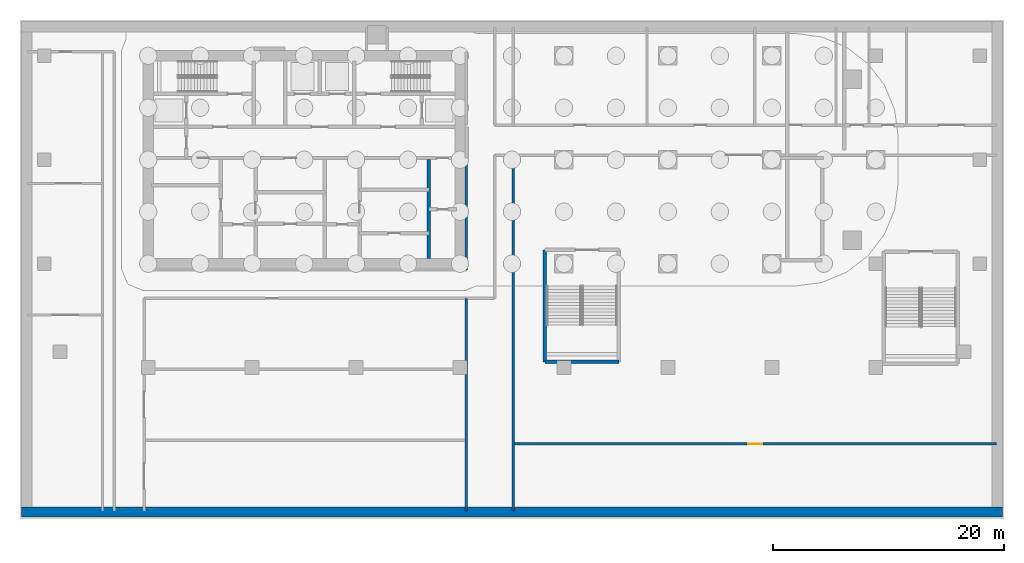
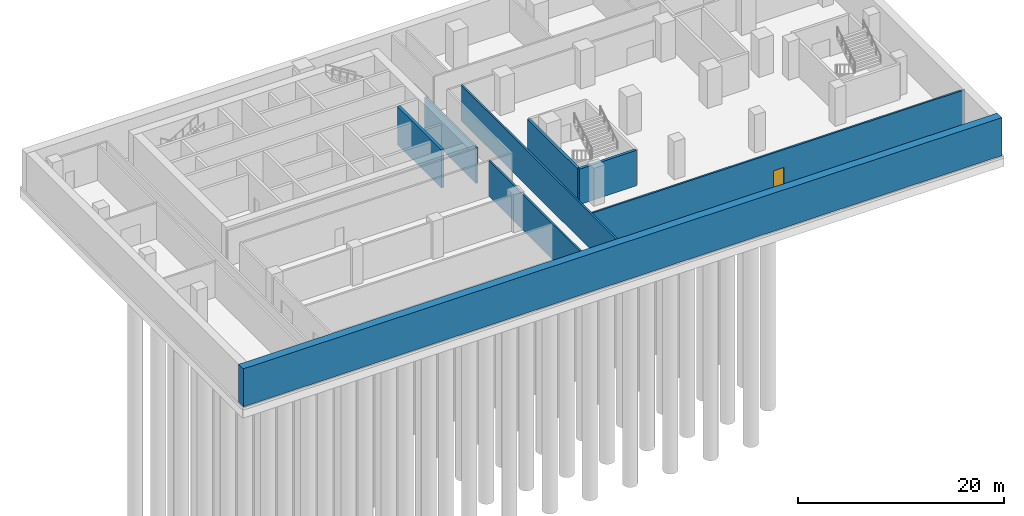
# One storey, part 3 of 13: 8 walls, 1 door, 1 opening.
"""IFC4 building model written with IfcOpenShell, lengths in metres."""

from ifc_helpers import new_model, si_unit, direction, frame, frame_2d, origin, place, context, subcontext, project, spatial, rectangle, extrude, material, layer, layer_set, type_object, element, fill, save


model = new_model("IFC4")

# Units and contexts
model_context = context("Model", 3, precision=1e-05, world=origin(), true_north=direction((0.0, 1.0)))
body_context = subcontext(model_context, "Body", "Model", "MODEL_VIEW")
ifc_project = project(units=[si_unit("LENGTHUNIT", "METRE"), si_unit("AREAUNIT", "SQUARE_METRE"), si_unit("VOLUMEUNIT", "CUBIC_METRE"), si_unit("PLANEANGLEUNIT", "RADIAN"), si_unit("MASSUNIT", "GRAM", prefix="KILO")], contexts=[model_context])

# Site, building, storey
site_placement = place(None, origin())
site = spatial("IfcSite", under=ifc_project, at=site_placement, CompositionType="ELEMENT")
building_placement = place(site_placement, origin())
building = spatial("IfcBuilding", under=site, at=building_placement, Name="Ogive Portal Towers", CompositionType="ELEMENT")
storey_placement = place(building_placement, frame((0.0, 0.0, -9.0)))
storey = spatial("IfcBuildingStorey", under=building, at=storey_placement, Name="B2", CompositionType="ELEMENT", Elevation=-9.0)

# Walls
ifc_material_1 = material(Name="Concrete C60/75", Category="concrete")
ifc_layer_1 = layer(ifc_material_1, 0.300048828125)
ifc_layer_set_1 = layer_set([ifc_layer_1], Name="CORE WALL 300 C60")
wall_type_1 = type_object("IfcWallType", Name="CORE WALL 300 C60", PredefinedType="SHEAR", material=ifc_layer_set_1)
wall_1_placement = place(storey_placement, frame((55.800048828125, 21.949951171875, 0.0), z_axis=(0.0, 0.0, 1.0), x_axis=(0.0, 1.0, 0.0)))
element("IfcWall", 1, at=wall_1_placement, inside=storey, type_object=wall_type_1, Name="Core wall X5 B2", PredefinedType="SHEAR", context=body_context, shape_type="SweptSolid", body=[
    extrude(rectangle(XDim=8.550048828125, YDim=0.300048828125, at=frame_2d((4.27490234375, 0.0))), origin(), (0.0, 0.0, 1.0), 4.5),
])
ifc_material_2 = material(Name="Concrete C50/60", Category="concrete")
ifc_layer_2 = layer(ifc_material_2, 0.300048828125)
ifc_layer_set_2 = layer_set([ifc_layer_2], Name="STAIR WALL 300 C50")
wall_type_2 = type_object("IfcWallType", Name="STAIR WALL 300 C50", PredefinedType="SHEAR", material=ifc_layer_set_2)
wall_2_placement = place(storey_placement, frame((65.85009765625, 13.0, 0.0), z_axis=(0.0, 0.0, 1.0), x_axis=(1.0, 0.0, 0.0)))
element("IfcWall", 2, at=wall_2_placement, inside=storey, type_object=wall_type_2, Name="Stair wall ST-S1 B2", PredefinedType="SHEAR", context=body_context, shape_type="SweptSolid", body=[
    extrude(rectangle(XDim=6.39990234375, YDim=0.300048828125, at=frame_2d((3.199951171875, 0.0))), origin(), (0.0, 0.0, 1.0), 4.199951171875),
])
wall_3_placement = place(storey_placement, frame((65.85009765625, 13.0, 0.0), z_axis=(0.0, 0.0, 1.0), x_axis=(0.0, 1.0, 0.0)))
element("IfcWall", 3, at=wall_3_placement, inside=storey, type_object=wall_type_2, Name="Stair wall ST-S1 B2", PredefinedType="SHEAR", context=body_context, shape_type="SweptSolid", body=[
    extrude(rectangle(XDim=9.699951171875, YDim=0.300048828125, at=frame_2d((4.85009765625, 0.0))), origin(), (0.0, 0.0, 1.0), 4.199951171875),
])
ifc_material_3 = material(Name="Concrete C40/50", Category="concrete")
ifc_layer_3 = layer(ifc_material_3, 0.89990234375)
ifc_layer_set_3 = layer_set([ifc_layer_3], Name="STATION WALL 900 C40")
wall_type_3 = type_object("IfcWallType", Name="STATION WALL 900 C40", PredefinedType="SOLIDWALL", material=ifc_layer_set_3)
wall_4_placement = place(storey_placement, frame((20.550048828125, 0.0, 0.0), z_axis=(0.0, 0.0, 1.0), x_axis=(1.0, 0.0, 0.0)))
element("IfcWall", 4, at=wall_4_placement, inside=storey, type_object=wall_type_3, Name="Station wall B2", PredefinedType="SOLIDWALL", context=body_context, shape_type="SweptSolid", body=[
    extrude(rectangle(XDim=84.89990234375, YDim=0.89990234375, at=frame_2d((42.449951171875, 0.0))), origin(), (0.0, 0.0, 1.0), 4.5),
])

# Wall, opening, door
ifc_material_4 = material(Name="Gypsum board partition on steel studs", Category="steel")
ifc_layer_4 = layer(ifc_material_4, 0.199951171875)
ifc_layer_set_4 = layer_set([ifc_layer_4], Name="WT-PART-200-EI 60")
wall_type_4 = type_object("IfcWallType", Name="WT-PART-200-EI 60", PredefinedType="PARTITIONING", material=ifc_layer_set_4)
wall_5_placement = place(storey_placement, frame((63.10009765625, 5.89990234375, 0.0), z_axis=(0.0, 0.0, 1.0), x_axis=(1.0, 0.0, 0.0)))
wall_5 = element("IfcWall", 5, at=wall_5_placement, inside=storey, type_object=wall_type_4, Name="Wall B2:w015", PredefinedType="PARTITIONING", context=body_context, shape_type="SweptSolid", body=[
    extrude(rectangle(XDim=41.829833984375, YDim=0.199951171875, at=frame_2d((20.9150390625, 0.0))), origin(), (0.0, 0.0, 1.0), 4.199951171875),
])
opening_placement = place(wall_5_placement, frame((20.3720703125, 0.0, 0.0)))
opening = element("IfcOpeningElement", 6, at=opening_placement, cuts=wall_5, Name="Opening PB2-005", PredefinedType="OPENING", context=body_context, shape_type="SweptSolid", body=[
    extrude(rectangle(XDim=1.199951171875, YDim=2.10009765625, at=frame_2d((0.60009765625, 1.050048828125))), frame((0.0, 0.10986328125, 0.0), z_axis=(0.0, -1.0, 0.0), x_axis=(1.0, 0.0, 0.0)), (0.0, 0.0, 1.0), 0.219970703125),
])
ifc_material_5 = material(Name="Steel fire door", Category="steel")
door_type = type_object("IfcDoorType", Name="DT-SWING-1200x2100-FD60S", OperationType="SINGLE_SWING_LEFT", PredefinedType="DOOR", material=ifc_material_5)
door_placement = place(opening_placement, origin())
door = element("IfcDoor", 7, at=door_placement, inside=storey, type_object=door_type, Name="Door PB2-005", OperationType="SINGLE_SWING_LEFT", OverallHeight=2.10009765625, OverallWidth=1.199951171875, PredefinedType="DOOR", context=body_context, shape_type="SweptSolid", body=[
    extrude(rectangle(XDim=1.199951171875, YDim=2.10009765625, at=frame_2d((0.60009765625, 1.050048828125))), frame((0.0, 0.02490234375, 0.0), z_axis=(0.0, -1.0, 0.0), x_axis=(1.0, 0.0, 0.0)), (0.0, 0.0, 1.0), 0.050048828125),
])
fill(opening, door)

# Walls
wall_6_placement = place(storey_placement, frame((59.050048828125, 0.070068359375, 0.0), z_axis=(0.0, 0.0, 1.0), x_axis=(0.0, 1.0, 0.0)))
element("IfcWall", 8, at=wall_6_placement, inside=storey, type_object=wall_type_4, Name="Wall B2:w025", PredefinedType="PARTITIONING", context=body_context, shape_type="SweptSolid", body=[
    extrude(rectangle(XDim=18.429931640625, YDim=0.199951171875, at=frame_2d((9.21484375, 0.0))), origin(), (0.0, 0.0, 1.0), 4.199951171875),
])
wall_7_placement = place(storey_placement, frame((59.050048828125, 20.949951171875, 0.0), z_axis=(0.0, 0.0, 1.0), x_axis=(0.0, 1.0, 0.0)))
element("IfcWall", 9, at=wall_7_placement, inside=storey, type_object=wall_type_4, Name="Wall B2:w026", PredefinedType="PARTITIONING", context=body_context, shape_type="SweptSolid", body=[
    extrude(rectangle(XDim=9.949951171875, YDim=0.199951171875, at=frame_2d((4.97509765625, 0.0))), origin(), (0.0, 0.0, 1.0), 4.199951171875),
])
wall_8_placement = place(storey_placement, frame((63.10009765625, 0.070068359375, 0.0), z_axis=(0.0, 0.0, 1.0), x_axis=(0.0, 1.0, 0.0)))
element("IfcWall", 10, at=wall_8_placement, inside=storey, type_object=wall_type_4, Name="Wall B2:w030", PredefinedType="PARTITIONING", context=body_context, shape_type="SweptSolid", body=[
    extrude(rectangle(XDim=30.829833984375, YDim=0.199951171875, at=frame_2d((15.4150390625, 0.0))), origin(), (0.0, 0.0, 1.0), 4.199951171875),
])

save(model, "model.ifc")
